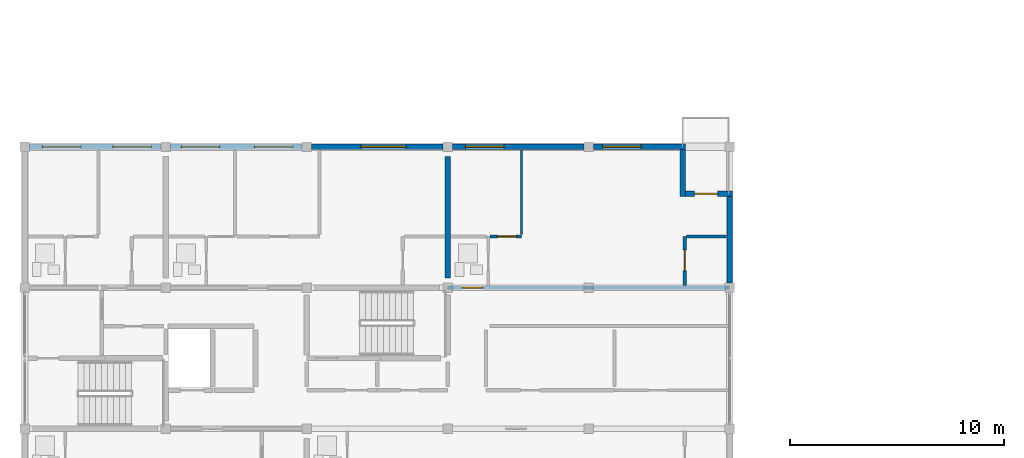
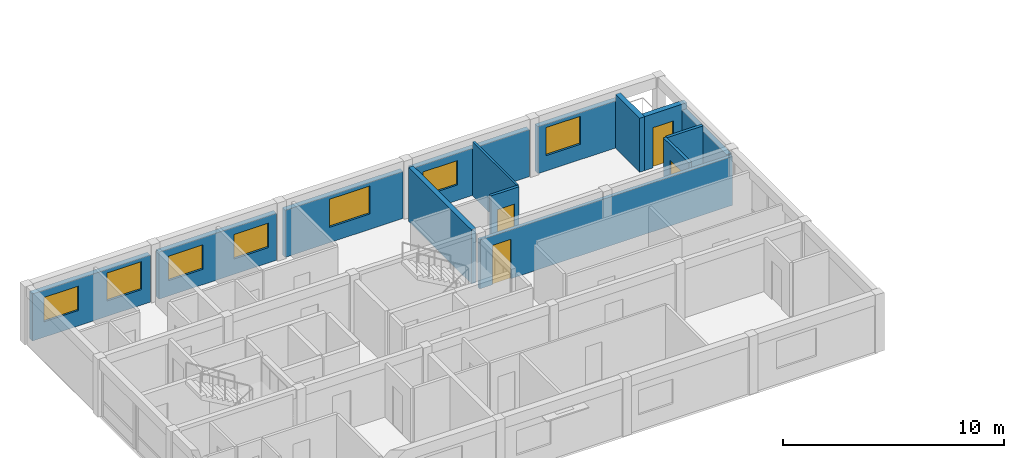
# One storey, part 11 of 22: 14 walls, 7 windows, 4 doors, 11 openings.
"""IFC4 building model written with IfcOpenShell, lengths in metres."""

from ifc_helpers import new_model, si_unit, direction, frame, frame_2d, origin, place, context, subcontext, project, spatial, rectangle, extrude, material, layer, layer_set, type_object, element, fill, save


model = new_model("IFC4")

# Units and contexts
model_context = context("Model", 3, precision=1e-05, world=origin(), true_north=direction((0.0, 1.0)))
body_context = subcontext(model_context, "Body", "Model", "MODEL_VIEW")
ifc_project = project(units=[si_unit("LENGTHUNIT", "METRE"), si_unit("AREAUNIT", "SQUARE_METRE"), si_unit("VOLUMEUNIT", "CUBIC_METRE"), si_unit("PLANEANGLEUNIT", "RADIAN"), si_unit("MASSUNIT", "GRAM", prefix="KILO")], contexts=[model_context])

# Site, building, storey
site_placement = place(None, origin())
site = spatial("IfcSite", under=ifc_project, at=site_placement, CompositionType="ELEMENT")
building_placement = place(site_placement, origin())
building = spatial("IfcBuilding", under=site, at=building_placement, Name="Kernevlak Ridge Housing Community", CompositionType="ELEMENT")
storey_placement = place(building_placement, frame((0.0, 0.0, 43.60009765625)))
storey = spatial("IfcBuildingStorey", under=building, at=storey_placement, Name="L13", CompositionType="ELEMENT", Elevation=43.60009765625)

# Wall, openings, windows
ifc_material_1 = material(Name="Concrete block masonry M10", Category="masonry")
ifc_layer_1 = layer(ifc_material_1, 0.260009765625, Name="Concrete block masonry M10")
ifc_layer_set_1 = layer_set([ifc_layer_1], Name="Concrete block masonry M10")
wall_type_1 = type_object("IfcWallType", Name="EW-05", PredefinedType="STANDARD", material=ifc_layer_set_1)
wall_1_placement = place(storey_placement, frame((15.824951171875, 95.800048828125, 0.0), z_axis=(0.0, 0.0, 1.0), x_axis=(1.0, 0.0, 0.0)))
wall_1 = element("IfcWall", 1, at=wall_1_placement, inside=storey, type_object=wall_type_1, Name="Exterior wall EW-05 L13 210", PredefinedType="STANDARD", context=body_context, shape_type="SweptSolid", body=[
    extrude(rectangle(XDim=6.150146484375, YDim=0.260009765625, at=frame_2d((3.0751953125, 0.0))), origin(), (0.0, 0.0, 1.0), 2.599853515625),
])
opening_1_placement = place(wall_1_placement, frame((0.60009765625, 0.0, 0.85009765625)))
opening_1 = element("IfcOpeningElement", 2, at=opening_1_placement, cuts=wall_1, Name="Opening WT-03", PredefinedType="OPENING", context=body_context, shape_type="SweptSolid", body=[
    extrude(rectangle(XDim=1.800048828125, YDim=1.35009765625, at=frame_2d((0.89990234375, 0.675048828125))), frame((0.0, 0.139892578125, 0.0), z_axis=(0.0, -1.0, 0.0), x_axis=(1.0, 0.0, 0.0)), (0.0, 0.0, 1.0), 0.280029296875),
])
opening_2_placement = place(wall_1_placement, frame((3.89990234375, 0.0, 0.85009765625)))
opening_2 = element("IfcOpeningElement", 3, at=opening_2_placement, cuts=wall_1, Name="Opening WT-04", PredefinedType="OPENING", context=body_context, shape_type="SweptSolid", body=[
    extrude(rectangle(XDim=1.800048828125, YDim=1.550048828125, at=frame_2d((0.89990234375, 0.77490234375))), frame((0.0, 0.139892578125, 0.0), z_axis=(0.0, -1.0, 0.0), x_axis=(1.0, 0.0, 0.0)), (0.0, 0.0, 1.0), 0.280029296875),
])
ifc_material_2 = material(Name="Aluminium EN AW-6060 anodised and laminated glass", Category="aluminium")
window_type_1 = type_object("IfcWindowType", Name="WT-03", PartitioningType="SINGLE_PANEL", PredefinedType="WINDOW", material=ifc_material_2)
window_1_placement = place(opening_1_placement, origin())
window_1 = element("IfcWindow", 4, at=window_1_placement, inside=storey, type_object=window_type_1, Name="Window WT-03 L13 167", OverallHeight=1.35009765625, OverallWidth=1.800048828125, PartitioningType="SINGLE_PANEL", PredefinedType="WINDOW", context=body_context, shape_type="SweptSolid", body=[
    extrude(rectangle(XDim=1.800048828125, YDim=1.35009765625, at=frame_2d((0.89990234375, 0.675048828125))), frame((0.0, 0.030029296875, 0.0), z_axis=(0.0, -1.0, 0.0), x_axis=(1.0, 0.0, 0.0)), (0.0, 0.0, 1.0), 0.06005859375),
])
fill(opening_1, window_1)
window_type_2 = type_object("IfcWindowType", Name="WT-04", PartitioningType="SINGLE_PANEL", PredefinedType="WINDOW", material=ifc_material_2)
window_2_placement = place(opening_2_placement, origin())
window_2 = element("IfcWindow", 5, at=window_2_placement, inside=storey, type_object=window_type_2, Name="Window WT-04 L13 168", OverallHeight=1.550048828125, OverallWidth=1.800048828125, PartitioningType="SINGLE_PANEL", PredefinedType="WINDOW", context=body_context, shape_type="SweptSolid", body=[
    extrude(rectangle(XDim=1.800048828125, YDim=1.550048828125, at=frame_2d((0.89990234375, 0.77490234375))), frame((0.0, 0.030029296875, 0.0), z_axis=(0.0, -1.0, 0.0), x_axis=(1.0, 0.0, 0.0)), (0.0, 0.0, 1.0), 0.06005859375),
])
fill(opening_2, window_2)

wall_2_placement = place(storey_placement, frame((22.425048828125, 95.800048828125, 0.0), z_axis=(0.0, 0.0, 1.0), x_axis=(1.0, 0.0, 0.0)))
wall_2 = element("IfcWall", 6, at=wall_2_placement, inside=storey, type_object=wall_type_1, Name="Exterior wall EW-05 L13 211", PredefinedType="STANDARD", context=body_context, shape_type="SweptSolid", body=[
    extrude(rectangle(XDim=6.14990234375, YDim=0.260009765625, at=frame_2d((3.074951171875, 0.0))), origin(), (0.0, 0.0, 1.0), 2.599853515625),
])
opening_3_placement = place(wall_2_placement, frame((0.5, 0.0, 0.85009765625)))
opening_3 = element("IfcOpeningElement", 7, at=opening_3_placement, cuts=wall_2, Name="Opening WT-03", PredefinedType="OPENING", context=body_context, shape_type="SweptSolid", body=[
    extrude(rectangle(XDim=1.800048828125, YDim=1.35009765625, at=frame_2d((0.89990234375, 0.675048828125))), frame((0.0, 0.139892578125, 0.0), z_axis=(0.0, -1.0, 0.0), x_axis=(1.0, 0.0, 0.0)), (0.0, 0.0, 1.0), 0.280029296875),
])
opening_4_placement = place(wall_2_placement, frame((3.925048828125, 0.0, 0.85009765625)))
opening_4 = element("IfcOpeningElement", 8, at=opening_4_placement, cuts=wall_2, Name="Opening WT-03", PredefinedType="OPENING", context=body_context, shape_type="SweptSolid", body=[
    extrude(rectangle(XDim=1.800048828125, YDim=1.35009765625, at=frame_2d((0.89990234375, 0.675048828125))), frame((0.0, 0.139892578125, 0.0), z_axis=(0.0, -1.0, 0.0), x_axis=(1.0, 0.0, 0.0)), (0.0, 0.0, 1.0), 0.280029296875),
])
window_3_placement = place(opening_3_placement, origin())
window_3 = element("IfcWindow", 9, at=window_3_placement, inside=storey, type_object=window_type_1, Name="Window WT-03 L13 169", OverallHeight=1.35009765625, OverallWidth=1.800048828125, PartitioningType="SINGLE_PANEL", PredefinedType="WINDOW", context=body_context, shape_type="SweptSolid", body=[
    extrude(rectangle(XDim=1.800048828125, YDim=1.35009765625, at=frame_2d((0.89990234375, 0.675048828125))), frame((0.0, 0.030029296875, 0.0), z_axis=(0.0, -1.0, 0.0), x_axis=(1.0, 0.0, 0.0)), (0.0, 0.0, 1.0), 0.06005859375),
])
fill(opening_3, window_3)
window_4_placement = place(opening_4_placement, origin())
window_4 = element("IfcWindow", 10, at=window_4_placement, inside=storey, type_object=window_type_1, Name="Window WT-03 L13 170", OverallHeight=1.35009765625, OverallWidth=1.800048828125, PartitioningType="SINGLE_PANEL", PredefinedType="WINDOW", context=body_context, shape_type="SweptSolid", body=[
    extrude(rectangle(XDim=1.800048828125, YDim=1.35009765625, at=frame_2d((0.89990234375, 0.675048828125))), frame((0.0, 0.030029296875, 0.0), z_axis=(0.0, -1.0, 0.0), x_axis=(1.0, 0.0, 0.0)), (0.0, 0.0, 1.0), 0.06005859375),
])
fill(opening_4, window_4)

# Wall, opening, window
wall_3_placement = place(storey_placement, frame((29.02490234375, 95.800048828125, 0.0), z_axis=(0.0, 0.0, 1.0), x_axis=(1.0, 0.0, 0.0)))
wall_3 = element("IfcWall", 11, at=wall_3_placement, inside=storey, type_object=wall_type_1, Name="Exterior wall EW-05 L13 212", PredefinedType="STANDARD", context=body_context, shape_type="SweptSolid", body=[
    extrude(rectangle(XDim=6.150146484375, YDim=0.260009765625, at=frame_2d((3.0751953125, 0.0))), origin(), (0.0, 0.0, 1.0), 2.599853515625),
])
opening_5_placement = place(wall_3_placement, frame((2.321044921875, 0.0, 0.85009765625)))
opening_5 = element("IfcOpeningElement", 12, at=opening_5_placement, cuts=wall_3, Name="Opening WT-05", PredefinedType="OPENING", context=body_context, shape_type="SweptSolid", body=[
    extrude(rectangle(XDim=2.10009765625, YDim=1.550048828125, at=frame_2d((1.050048828125, 0.77490234375))), frame((0.0, 0.139892578125, 0.0), z_axis=(0.0, -1.0, 0.0), x_axis=(1.0, 0.0, 0.0)), (0.0, 0.0, 1.0), 0.280029296875),
])
window_type_3 = type_object("IfcWindowType", Name="WT-05", PartitioningType="SINGLE_PANEL", PredefinedType="WINDOW", material=ifc_material_2)
window_5_placement = place(opening_5_placement, origin())
window_5 = element("IfcWindow", 13, at=window_5_placement, inside=storey, type_object=window_type_3, Name="Window WT-05 L13 171", OverallHeight=1.550048828125, OverallWidth=2.10009765625, PartitioningType="SINGLE_PANEL", PredefinedType="WINDOW", context=body_context, shape_type="SweptSolid", body=[
    extrude(rectangle(XDim=2.10009765625, YDim=1.550048828125, at=frame_2d((1.050048828125, 0.77490234375))), frame((0.0, 0.030029296875, 0.0), z_axis=(0.0, -1.0, 0.0), x_axis=(1.0, 0.0, 0.0)), (0.0, 0.0, 1.0), 0.06005859375),
])
fill(opening_5, window_5)

wall_4_placement = place(storey_placement, frame((35.625, 95.800048828125, 0.0), z_axis=(0.0, 0.0, 1.0), x_axis=(1.0, 0.0, 0.0)))
wall_4 = element("IfcWall", 14, at=wall_4_placement, inside=storey, type_object=wall_type_1, Name="Exterior wall EW-05 L13 213", PredefinedType="STANDARD", context=body_context, shape_type="SweptSolid", body=[
    extrude(rectangle(XDim=6.14990234375, YDim=0.260009765625, at=frame_2d((3.074951171875, 0.0))), origin(), (0.0, 0.0, 1.0), 2.599853515625),
])
opening_6_placement = place(wall_4_placement, frame((0.60009765625, 0.0, 0.85009765625)))
opening_6 = element("IfcOpeningElement", 15, at=opening_6_placement, cuts=wall_4, Name="Opening WT-03", PredefinedType="OPENING", context=body_context, shape_type="SweptSolid", body=[
    extrude(rectangle(XDim=1.800048828125, YDim=1.35009765625, at=frame_2d((0.89990234375, 0.675048828125))), frame((0.0, 0.139892578125, 0.0), z_axis=(0.0, -1.0, 0.0), x_axis=(1.0, 0.0, 0.0)), (0.0, 0.0, 1.0), 0.280029296875),
])
window_6_placement = place(opening_6_placement, origin())
window_6 = element("IfcWindow", 16, at=window_6_placement, inside=storey, type_object=window_type_1, Name="Window WT-03 L13 172", OverallHeight=1.35009765625, OverallWidth=1.800048828125, PartitioningType="SINGLE_PANEL", PredefinedType="WINDOW", context=body_context, shape_type="SweptSolid", body=[
    extrude(rectangle(XDim=1.800048828125, YDim=1.35009765625, at=frame_2d((0.89990234375, 0.675048828125))), frame((0.0, 0.030029296875, 0.0), z_axis=(0.0, -1.0, 0.0), x_axis=(1.0, 0.0, 0.0)), (0.0, 0.0, 1.0), 0.06005859375),
])
fill(opening_6, window_6)

wall_5_placement = place(storey_placement, frame((42.22509765625, 95.800048828125, 0.0), z_axis=(0.0, 0.0, 1.0), x_axis=(1.0, 0.0, 0.0)))
wall_5 = element("IfcWall", 17, at=wall_5_placement, inside=storey, type_object=wall_type_1, Name="Exterior wall EW-05 L13 214", PredefinedType="STANDARD", context=body_context, shape_type="SweptSolid", body=[
    extrude(rectangle(XDim=4.304931640625, YDim=0.260009765625, at=frame_2d((2.15234375, 0.0))), origin(), (0.0, 0.0, 1.0), 2.599853515625),
])
opening_7_placement = place(wall_5_placement, frame((0.425048828125, 0.0, 0.85009765625)))
opening_7 = element("IfcOpeningElement", 18, at=opening_7_placement, cuts=wall_5, Name="Opening WT-04", PredefinedType="OPENING", context=body_context, shape_type="SweptSolid", body=[
    extrude(rectangle(XDim=1.800048828125, YDim=1.550048828125, at=frame_2d((0.89990234375, 0.77490234375))), frame((0.0, 0.139892578125, 0.0), z_axis=(0.0, -1.0, 0.0), x_axis=(1.0, 0.0, 0.0)), (0.0, 0.0, 1.0), 0.280029296875),
])
window_7_placement = place(opening_7_placement, origin())
window_7 = element("IfcWindow", 19, at=window_7_placement, inside=storey, type_object=window_type_2, Name="Window WT-04 L13 173", OverallHeight=1.550048828125, OverallWidth=1.800048828125, PartitioningType="SINGLE_PANEL", PredefinedType="WINDOW", context=body_context, shape_type="SweptSolid", body=[
    extrude(rectangle(XDim=1.800048828125, YDim=1.550048828125, at=frame_2d((0.89990234375, 0.77490234375))), frame((0.0, 0.030029296875, 0.0), z_axis=(0.0, -1.0, 0.0), x_axis=(1.0, 0.0, 0.0)), (0.0, 0.0, 1.0), 0.06005859375),
])
fill(opening_7, window_7)

# Wall
wall_6_placement = place(storey_placement, frame((46.39990234375, 95.669921875, 0.0), z_axis=(0.0, 0.0, 1.0), x_axis=(0.0, -1.0, 0.0)))
element("IfcWall", 20, at=wall_6_placement, inside=storey, type_object=wall_type_1, Name="Exterior wall EW-05 L13 215", PredefinedType="STANDARD", context=body_context, shape_type="SweptSolid", body=[
    extrude(rectangle(XDim=2.199951171875, YDim=0.260009765625, at=frame_2d((1.10009765625, 0.0))), origin(), (0.0, 0.0, 1.0), 2.97998046875),
])

# Wall, opening, door
wall_7_placement = place(storey_placement, frame((46.530029296875, 93.60009765625, 0.0), z_axis=(0.0, 0.0, 1.0), x_axis=(1.0, 0.0, 0.0)))
wall_7 = element("IfcWall", 21, at=wall_7_placement, inside=storey, type_object=wall_type_1, Name="Exterior wall EW-05 L13 216", PredefinedType="STANDARD", context=body_context, shape_type="SweptSolid", body=[
    extrude(rectangle(XDim=2.199951171875, YDim=0.260009765625, at=frame_2d((1.10009765625, 0.0))), origin(), (0.0, 0.0, 1.0), 2.97998046875),
])
opening_8_placement = place(wall_7_placement, frame((0.429931640625, 0.0, 0.0)))
opening_8 = element("IfcOpeningElement", 22, at=opening_8_placement, cuts=wall_7, Name="Opening D446", PredefinedType="OPENING", context=body_context, shape_type="SweptSolid", body=[
    extrude(rectangle(XDim=1.080078125, YDim=2.219970703125, at=frame_2d((0.5400390625, 1.10986328125))), frame((0.0, 0.139892578125, 0.0), z_axis=(0.0, -1.0, 0.0), x_axis=(1.0, 0.0, 0.0)), (0.0, 0.0, 1.0), 0.280029296875),
])
ifc_material_3 = material(Name="Aluminium EN AW-6060 and laminated safety glass", Category="aluminium")
door_type_1 = type_object("IfcDoorType", Name="DT-34", OperationType="NOTDEFINED", PredefinedType="DOOR", material=ifc_material_3)
door_1_placement = place(opening_8_placement, origin())
door_1 = element("IfcDoor", 23, at=door_1_placement, inside=storey, type_object=door_type_1, Name="Flat A1323 corner balcony glazed door D446", OperationType="SINGLE_SWING_RIGHT", OverallHeight=2.219970703125, OverallWidth=1.080078125, PredefinedType="DOOR", context=body_context, shape_type="SweptSolid", body=[
    extrude(rectangle(XDim=1.080078125, YDim=2.219970703125, at=frame_2d((0.5400390625, 1.10986328125))), frame((0.0, 0.02490234375, 0.0), z_axis=(0.0, -1.0, 0.0), x_axis=(1.0, 0.0, 0.0)), (0.0, 0.0, 1.0), 0.050048828125),
])
fill(opening_8, door_1)

# Wall
wall_8_placement = place(storey_placement, frame((48.60009765625, 89.425048828125, 0.0), z_axis=(0.0, 0.0, 1.0), x_axis=(0.0, 1.0, 0.0)))
element("IfcWall", 24, at=wall_8_placement, inside=storey, type_object=wall_type_1, Name="Exterior wall EW-05 L13 220", PredefinedType="STANDARD", context=body_context, shape_type="SweptSolid", body=[
    extrude(rectangle(XDim=4.044921875, YDim=0.260009765625, at=frame_2d((2.0224609375, 0.0))), origin(), (0.0, 0.0, 1.0), 2.64990234375),
])

# Wall, opening, door
ifc_layer_2 = layer(ifc_material_1, 0.175048828125, Name="Concrete block masonry M10")
ifc_layer_set_2 = layer_set([ifc_layer_2], Name="Concrete block masonry M10")
wall_type_2 = type_object("IfcWallType", Name="PW-02", PredefinedType="PARTITIONING", material=ifc_layer_set_2)
wall_9_placement = place(storey_placement, frame((35.39990234375, 89.199951171875, 0.0), z_axis=(0.0, 0.0, 1.0), x_axis=(1.0, 0.0, 0.0)))
wall_9 = element("IfcWall", 25, at=wall_9_placement, inside=storey, type_object=wall_type_2, Name="Interior wall PW-02 WAL-INT-L13-0875", PredefinedType="PARTITIONING", context=body_context, shape_type="SweptSolid", body=[
    extrude(rectangle(XDim=13.2001953125, YDim=0.175048828125, at=frame_2d((6.60009765625, 0.0))), origin(), (0.0, 0.0, 1.0), 2.699951171875),
])
opening_9_placement = place(wall_9_placement, frame((0.669921875, 0.0, 0.0)))
opening_9 = element("IfcOpeningElement", 26, at=opening_9_placement, cuts=wall_9, Name="Opening D442", PredefinedType="OPENING", context=body_context, shape_type="SweptSolid", body=[
    extrude(rectangle(XDim=0.9599609375, YDim=2.179931640625, at=frame_2d((0.47998046875, 1.08984375))), frame((0.0, 0.097412109375, 0.0), z_axis=(0.0, -1.0, 0.0), x_axis=(1.0, 0.0, 0.0)), (0.0, 0.0, 1.0), 0.195068359375),
])
ifc_material_4 = material(Name="Hardwood timber solid-core fire leaf", Category="wood")
door_type_2 = type_object("IfcDoorType", Name="DT-29", OperationType="NOTDEFINED", PredefinedType="DOOR", material=ifc_material_4)
door_2_placement = place(opening_9_placement, origin())
door_2 = element("IfcDoor", 27, at=door_2_placement, inside=storey, type_object=door_type_2, Name="Flat A1323 entrance fire door D442", OperationType="SINGLE_SWING_RIGHT", OverallHeight=2.179931640625, OverallWidth=0.9599609375, PredefinedType="DOOR", context=body_context, shape_type="SweptSolid", body=[
    extrude(rectangle(XDim=0.9599609375, YDim=2.179931640625, at=frame_2d((0.47998046875, 1.08984375))), frame((0.0, 0.02490234375, 0.0), z_axis=(0.0, -1.0, 0.0), x_axis=(1.0, 0.0, 0.0)), (0.0, 0.0, 1.0), 0.050048828125),
])
fill(opening_9, door_2)

ifc_layer_3 = layer(ifc_material_1, 0.14501953125, Name="Concrete block masonry M10")
ifc_layer_set_3 = layer_set([ifc_layer_3], Name="Concrete block masonry M10")
wall_type_3 = type_object("IfcWallType", Name="PW-03", PredefinedType="PARTITIONING", material=ifc_layer_set_3)
wall_10_placement = place(storey_placement, frame((37.37255859375, 91.60009765625, 0.0), z_axis=(0.0, 0.0, 1.0), x_axis=(1.0, 0.0, 0.0)))
wall_10 = element("IfcWall", 28, at=wall_10_placement, inside=storey, type_object=wall_type_3, Name="Interior wall PW-03 WAL-INT-L13-0880", PredefinedType="PARTITIONING", context=body_context, shape_type="SweptSolid", body=[
    extrude(rectangle(XDim=1.4775390625, YDim=0.14501953125, at=frame_2d((0.73876953125, 0.0))), origin(), (0.0, 0.0, 1.0), 2.97998046875),
])
opening_10_placement = place(wall_10_placement, frame((0.35009765625, 0.0, 0.0)))
opening_10 = element("IfcOpeningElement", 29, at=opening_10_placement, cuts=wall_10, Name="Opening D445", PredefinedType="OPENING", context=body_context, shape_type="SweptSolid", body=[
    extrude(rectangle(XDim=0.8798828125, YDim=2.10009765625, at=frame_2d((0.43994140625, 1.050048828125))), frame((0.0, 0.08251953125, 0.0), z_axis=(0.0, -1.0, 0.0), x_axis=(1.0, 0.0, 0.0)), (0.0, 0.0, 1.0), 0.1650390625),
])
ifc_material_5 = material(Name="Hardwood timber leaf", Category="wood")
door_type_3 = type_object("IfcDoorType", Name="DT-25", OperationType="NOTDEFINED", PredefinedType="DOOR", material=ifc_material_5)
door_3_placement = place(opening_10_placement, origin())
door_3 = element("IfcDoor", 30, at=door_3_placement, inside=storey, type_object=door_type_3, Name="Flat A1323 bedroom door D445", OperationType="SINGLE_SWING_LEFT", OverallHeight=2.10009765625, OverallWidth=0.8798828125, PredefinedType="DOOR", context=body_context, shape_type="SweptSolid", body=[
    extrude(rectangle(XDim=0.8798828125, YDim=2.10009765625, at=frame_2d((0.43994140625, 1.050048828125))), frame((0.0, 0.02490234375, 0.0), z_axis=(0.0, -1.0, 0.0), x_axis=(1.0, 0.0, 0.0)), (0.0, 0.0, 1.0), 0.050048828125),
])
fill(opening_10, door_3)

ifc_material_6 = material(Name="Gypsum plasterboard EN 520", Category="gypsum")
ifc_layer_4 = layer(ifc_material_6, 0.155029296875, Name="Gypsum plasterboard EN 520")
ifc_layer_set_4 = layer_set([ifc_layer_4], Name="Gypsum plasterboard EN 520")
wall_type_4 = type_object("IfcWallType", Name="PW-05", PredefinedType="PARTITIONING", material=ifc_layer_set_4)
wall_11_placement = place(storey_placement, frame((46.5, 89.297607421875, 0.0), z_axis=(0.0, 0.0, 1.0), x_axis=(0.0, 1.0, 0.0)))
wall_11 = element("IfcWall", 31, at=wall_11_placement, inside=storey, type_object=wall_type_4, Name="Interior wall PW-05 WAL-INT-L13-0878", PredefinedType="PARTITIONING", context=body_context, shape_type="SweptSolid", body=[
    extrude(rectangle(XDim=2.302490234375, YDim=0.155029296875, at=frame_2d((1.1513671875, 0.0))), origin(), (0.0, 0.0, 1.0), 2.97998046875),
])
opening_11_placement = place(wall_11_placement, frame((0.699951171875, 0.0, 0.0)))
opening_11 = element("IfcOpeningElement", 32, at=opening_11_placement, cuts=wall_11, Name="Opening D444", PredefinedType="OPENING", context=body_context, shape_type="SweptSolid", body=[
    extrude(rectangle(XDim=0.97998046875, YDim=2.1201171875, at=frame_2d((0.489990234375, 1.06005859375))), frame((0.0, 0.08740234375, 0.0), z_axis=(0.0, -1.0, 0.0), x_axis=(1.0, 0.0, 0.0)), (0.0, 0.0, 1.0), 0.175048828125),
])
door_type_4 = type_object("IfcDoorType", Name="DT-24", OperationType="NOTDEFINED", PredefinedType="DOOR", material=ifc_material_5)
door_4_placement = place(opening_11_placement, origin())
door_4 = element("IfcDoor", 33, at=door_4_placement, inside=storey, type_object=door_type_4, Name="Flat A1323 kitchen door D444", OperationType="SINGLE_SWING_RIGHT", OverallHeight=2.1201171875, OverallWidth=0.97998046875, PredefinedType="DOOR", context=body_context, shape_type="SweptSolid", body=[
    extrude(rectangle(XDim=0.97998046875, YDim=2.1201171875, at=frame_2d((0.489990234375, 1.06005859375))), frame((0.0, 0.02490234375, 0.0), z_axis=(0.0, -1.0, 0.0), x_axis=(1.0, 0.0, 0.0)), (0.0, 0.0, 1.0), 0.050048828125),
])
fill(opening_11, door_4)

# Walls
wall_12_placement = place(storey_placement, frame((46.58740234375, 91.60009765625, 0.0), z_axis=(0.0, 0.0, 1.0), x_axis=(1.0, 0.0, 0.0)))
element("IfcWall", 34, at=wall_12_placement, inside=storey, type_object=wall_type_4, Name="Interior wall PW-05 WAL-INT-L13-0879", PredefinedType="PARTITIONING", context=body_context, shape_type="SweptSolid", body=[
    extrude(rectangle(XDim=1.87255859375, YDim=0.155029296875, at=frame_2d((0.936279296875, 0.0))), origin(), (0.0, 0.0, 1.0), 2.97998046875),
])
ifc_layer_5 = layer(ifc_material_6, 0.10498046875, Name="Gypsum plasterboard EN 520")
ifc_layer_set_5 = layer_set([ifc_layer_5], Name="Gypsum plasterboard EN 520")
wall_type_5 = type_object("IfcWallType", Name="PW-06", PredefinedType="PARTITIONING", material=ifc_layer_set_5)
wall_13_placement = place(storey_placement, frame((38.85009765625, 91.6826171875, 0.0), z_axis=(0.0, 0.0, 1.0), x_axis=(0.0, 1.0, 0.0)))
element("IfcWall", 35, at=wall_13_placement, inside=storey, type_object=wall_type_5, Name="Interior wall PW-06 WAL-INT-L13-0881", PredefinedType="PARTITIONING", context=body_context, shape_type="SweptSolid", body=[
    extrude(rectangle(XDim=3.977294921875, YDim=0.10498046875, at=frame_2d((1.98876953125, 0.0))), origin(), (0.0, 0.0, 1.0), 2.97998046875),
])
ifc_material_7 = material(Name="Concrete C40/50", Category="concrete")
ifc_layer_6 = layer(ifc_material_7, 0.25, Name="Concrete C40/50")
ifc_layer_set_6 = layer_set([ifc_layer_6], Name="Concrete C40/50")
wall_type_6 = type_object("IfcWallType", Name="SW-03", PredefinedType="SHEAR", material=ifc_layer_set_6)
wall_14_placement = place(storey_placement, frame((35.39990234375, 89.64990234375, 0.0), z_axis=(0.0, 0.0, 1.0), x_axis=(0.0, 1.0, 0.0)))
element("IfcWall", 36, at=wall_14_placement, inside=storey, type_object=wall_type_6, Name="Shear wall SW-03 Block A L13 150", PredefinedType="SHEAR", context=body_context, shape_type="SweptSolid", body=[
    extrude(rectangle(XDim=5.7001953125, YDim=0.25, at=frame_2d((2.85009765625, 0.0))), origin(), (0.0, 0.0, 1.0), 2.97998046875),
])

save(model, "model.ifc")
